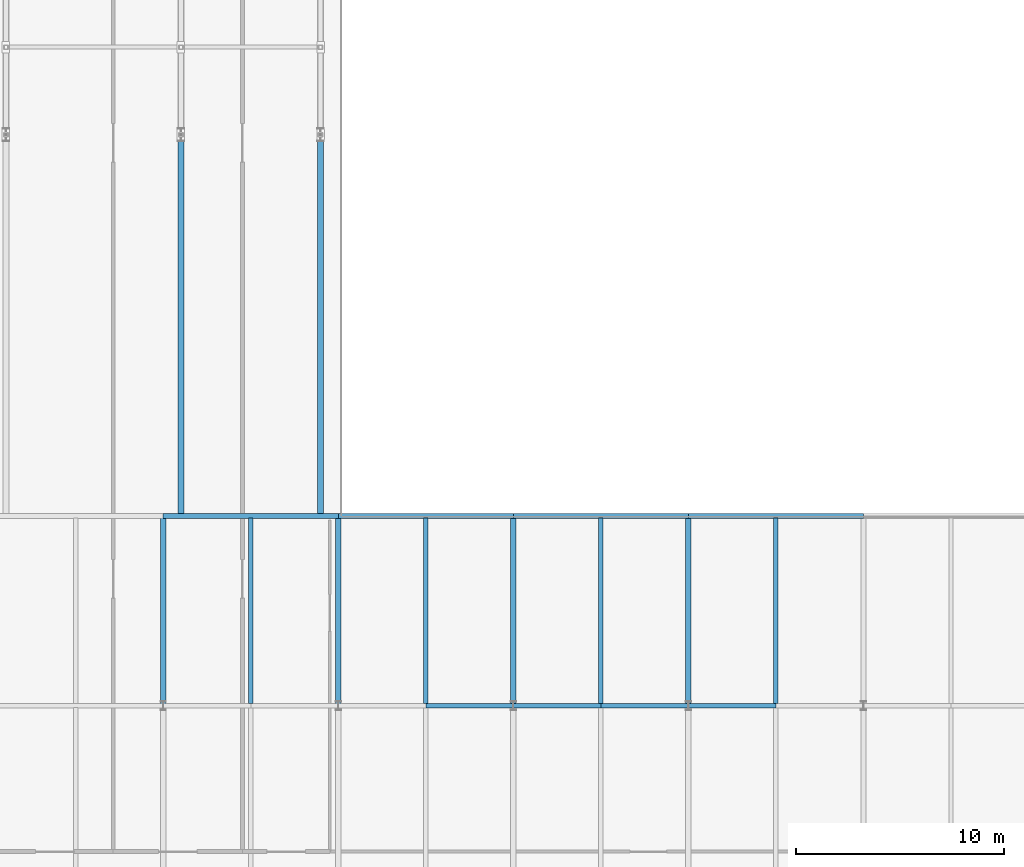
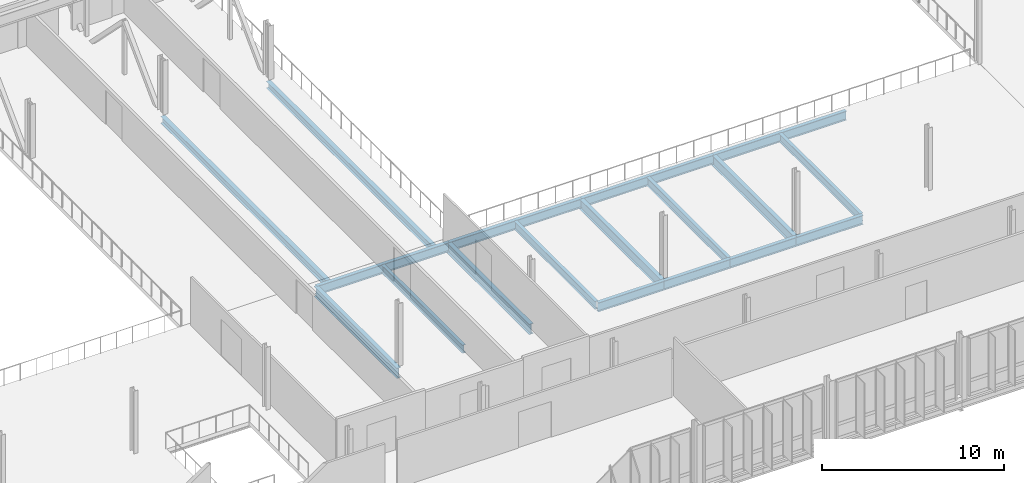
# One storey, part 53 of 107: 18 beams.
"""IFC4 building model written with IfcOpenShell, lengths in metres."""

from ifc_helpers import new_model, si_unit, derived_unit, direction, frame, origin, origin_2d, place, context, subcontext, project, spatial, i_section, extrude, material, material_profile, profile_set, type_object, element, save


model = new_model("IFC4")

# Units and contexts
model_context = context("Model", 3, precision=1e-05, world=origin(), true_north=direction((0.0, 1.0)))
body_context = subcontext(model_context, "Body", "Model", "MODEL_VIEW")
ifc_project = project(units=[si_unit("LENGTHUNIT", "METRE"), si_unit("AREAUNIT", "SQUARE_METRE"), si_unit("VOLUMEUNIT", "CUBIC_METRE"), si_unit("PLANEANGLEUNIT", "RADIAN"), si_unit("MASSUNIT", "GRAM", prefix="KILO"), derived_unit("THERMALTRANSMITTANCEUNIT", [(si_unit("MASSUNIT", "GRAM", prefix="KILO"), 1), (si_unit("TIMEUNIT", "SECOND"), -3), (si_unit("THERMODYNAMICTEMPERATUREUNIT", "KELVIN"), -1)])], contexts=[model_context])

# Site, building, storey
site_placement = place(None, origin())
site = spatial("IfcSite", under=ifc_project, at=site_placement, CompositionType="ELEMENT")
building_placement = place(site_placement, origin())
building = spatial("IfcBuilding", under=site, at=building_placement, Name="Makaiwela Harbour Ferry Terminal", CompositionType="ELEMENT")
storey_placement = place(building_placement, frame((0.0, 0.0, 9.60009765625)))
storey = spatial("IfcBuildingStorey", under=building, at=storey_placement, Name="L02", CompositionType="ELEMENT", Elevation=9.60009765625)

# Beams
ifc_material = material(Name="Steel ASTM A992 Grade 50", Category="steel")
ifc_material_profile_1 = material_profile(ifc_material, i_section(OverallWidth=0.280029296875, OverallDepth=0.462890625, WebThickness=0.0107421875, FlangeThickness=0.017333984375, at=origin_2d()), Name="W18X76")
ifc_profile_set_1 = profile_set([ifc_material_profile_1], Name="Steel ASTM A992 Grade 50")
beam_type_1 = type_object("IfcBeamType", Name="STR-BM-W18X76", PredefinedType="BEAM", material=ifc_profile_set_1)
for number, where, z_axis, x_axis, name in (
    (1, (97.449951171875, 76.699951171875, -0.49169921875), (0.0, 1.0, 0.0), (-1.0, 0.0, 0.0), "North bridge backspan girder 242"),
    (2, (104.14990234375, 76.699951171875, -0.49169921875), (0.0, 1.0, 0.0), (-1.0, 0.0, 0.0), "North bridge backspan girder 243"),
):
    element("IfcBeam", number, at=place(storey_placement, frame(where, z_axis=z_axis, x_axis=x_axis)), inside=storey, type_object=beam_type_1, Name=name, PredefinedType="BEAM", context=body_context, shape_type="SweptSolid", body=[
        extrude(i_section(OverallWidth=0.280029296875, OverallDepth=0.462890625, WebThickness=0.0107421875, FlangeThickness=0.017333984375, at=origin_2d()), origin(), (0.0, 0.0, 1.0), 18.300048828125),
    ])
ifc_material_profile_2 = material_profile(ifc_material, i_section(OverallWidth=0.2099609375, OverallDepth=0.537109375, WebThickness=0.010986328125, FlangeThickness=0.017333984375, at=origin_2d()), Name="W21X68")
ifc_profile_set_2 = profile_set([ifc_material_profile_2], Name="Steel ASTM A992 Grade 50")
beam_type_2 = type_object("IfcBeamType", Name="STR-BM-W21X68", PredefinedType="BEAM", material=ifc_profile_set_2)
for number, where, z_axis, x_axis, name in (
    (3, (100.800048828125, 67.696533203125, -0.528564453125), (0.0, 1.0, 0.0), (-1.0, 0.0, 0.0), "Secondary floor beam 1498"),
    (4, (109.199951171875, 67.696533203125, -0.528564453125), (0.0, 1.0, 0.0), (-1.0, 0.0, 0.0), "Secondary floor beam 1505"),
    (5, (117.60009765625, 67.696533203125, -0.528564453125), (0.0, 1.0, 0.0), (-1.0, 0.0, 0.0), "Secondary floor beam 1512"),
    (6, (126.0, 67.696533203125, -0.528564453125), (0.0, 1.0, 0.0), (-1.0, 0.0, 0.0), "Secondary floor beam 1516"),
):
    element("IfcBeam", number, at=place(storey_placement, frame(where, z_axis=z_axis, x_axis=x_axis)), inside=storey, type_object=beam_type_2, Name=name, PredefinedType="BEAM", context=body_context, shape_type="SweptSolid", body=[
        extrude(i_section(OverallWidth=0.2099609375, OverallDepth=0.537109375, WebThickness=0.010986328125, FlangeThickness=0.017333984375, at=origin_2d()), origin(), (0.0, 0.0, 1.0), 8.906982421875),
    ])
ifc_material_profile_3 = material_profile(ifc_material, i_section(OverallWidth=0.22900390625, OverallDepth=0.612060546875, WebThickness=0.011962890625, FlangeThickness=0.01953125, at=origin_2d()), Name="W24X84")
ifc_profile_set_3 = profile_set([ifc_material_profile_3], Name="Steel ASTM A992 Grade 50")
beam_type_3 = type_object("IfcBeamType", Name="STR-GRD-W24X84", PredefinedType="USERDEFINED", material=ifc_profile_set_3)
beam_1_placement = place(storey_placement, frame((109.199951171875, 67.60009765625, -0.566162109375), z_axis=(1.0, 0.0, 0.0), x_axis=(0.0, 1.0, 0.0)))
element("IfcBeam", 7, at=beam_1_placement, inside=storey, type_object=beam_type_3, Name="Primary X girder 1318", ObjectType="GIRDER", PredefinedType="USERDEFINED", context=body_context, shape_type="SweptSolid", body=[
    extrude(i_section(OverallWidth=0.22900390625, OverallDepth=0.612060546875, WebThickness=0.011962890625, FlangeThickness=0.01953125, at=origin_2d()), origin(), (0.0, 0.0, 1.0), 4.199951171875),
])
beam_2_placement = place(storey_placement, frame((113.39990234375, 67.60009765625, -0.566162109375), z_axis=(1.0, 0.0, 0.0), x_axis=(0.0, 1.0, 0.0)))
element("IfcBeam", 8, at=beam_2_placement, inside=storey, type_object=beam_type_3, Name="Primary X girder 1319", ObjectType="GIRDER", PredefinedType="USERDEFINED", context=body_context, shape_type="SweptSolid", body=[
    extrude(i_section(OverallWidth=0.22900390625, OverallDepth=0.612060546875, WebThickness=0.011962890625, FlangeThickness=0.01953125, at=origin_2d()), origin(), (0.0, 0.0, 1.0), 4.2001953125),
])
for number, where, z_axis, x_axis, name in (
    (9, (117.60009765625, 67.60009765625, -0.566162109375), (1.0, 0.0, 0.0), (0.0, 1.0, 0.0), "Primary X girder 1320"),
    (10, (121.800048828125, 67.60009765625, -0.566162109375), (1.0, 0.0, 0.0), (0.0, 1.0, 0.0), "Primary X girder 1321"),
):
    element("IfcBeam", number, at=place(storey_placement, frame(where, z_axis=z_axis, x_axis=x_axis)), inside=storey, type_object=beam_type_3, Name=name, ObjectType="GIRDER", PredefinedType="USERDEFINED", context=body_context, shape_type="SweptSolid", body=[
        extrude(i_section(OverallWidth=0.22900390625, OverallDepth=0.612060546875, WebThickness=0.011962890625, FlangeThickness=0.01953125, at=origin_2d()), origin(), (0.0, 0.0, 1.0), 4.199951171875),
    ])
for number, where, z_axis, x_axis, name in (
    (11, (96.60009765625, 76.699951171875, -0.566162109375), (1.0, 0.0, 0.0), (0.0, 1.0, 0.0), "Primary X girder 1332"),
    (12, (105.0, 76.699951171875, -0.566162109375), (1.0, 0.0, 0.0), (0.0, 1.0, 0.0), "Primary X girder 1333"),
):
    element("IfcBeam", number, at=place(storey_placement, frame(where, z_axis=z_axis, x_axis=x_axis)), inside=storey, type_object=beam_type_3, Name=name, ObjectType="GIRDER", PredefinedType="USERDEFINED", context=body_context, shape_type="SweptSolid", body=[
        extrude(i_section(OverallWidth=0.22900390625, OverallDepth=0.612060546875, WebThickness=0.011962890625, FlangeThickness=0.01953125, at=origin_2d()), origin(), (0.0, 0.0, 1.0), 8.39990234375),
    ])
beam_3_placement = place(storey_placement, frame((113.39990234375, 76.699951171875, -0.566162109375), z_axis=(1.0, 0.0, 0.0), x_axis=(0.0, 1.0, 0.0)))
element("IfcBeam", 13, at=beam_3_placement, inside=storey, type_object=beam_type_3, Name="Primary X girder 1334", ObjectType="GIRDER", PredefinedType="USERDEFINED", context=body_context, shape_type="SweptSolid", body=[
    extrude(i_section(OverallWidth=0.22900390625, OverallDepth=0.612060546875, WebThickness=0.011962890625, FlangeThickness=0.01953125, at=origin_2d()), origin(), (0.0, 0.0, 1.0), 8.400146484375),
])
beam_4_placement = place(storey_placement, frame((121.800048828125, 76.699951171875, -0.566162109375), z_axis=(1.0, 0.0, 0.0), x_axis=(0.0, 1.0, 0.0)))
element("IfcBeam", 14, at=beam_4_placement, inside=storey, type_object=beam_type_3, Name="Primary X girder 1335", ObjectType="GIRDER", PredefinedType="USERDEFINED", context=body_context, shape_type="SweptSolid", body=[
    extrude(i_section(OverallWidth=0.22900390625, OverallDepth=0.612060546875, WebThickness=0.011962890625, FlangeThickness=0.01953125, at=origin_2d()), origin(), (0.0, 0.0, 1.0), 8.39990234375),
])
ifc_material_profile_4 = material_profile(ifc_material, i_section(OverallWidth=0.256103515625, OverallDepth=0.693115234375, WebThickness=0.014404296875, FlangeThickness=0.023681640625, at=origin_2d()), Name="W27X114")
ifc_profile_set_4 = profile_set([ifc_material_profile_4], Name="Steel ASTM A992 Grade 50")
beam_type_4 = type_object("IfcBeamType", Name="STR-GRD-W27X114", PredefinedType="USERDEFINED", material=ifc_profile_set_4)
for number, where, z_axis, x_axis, name in (
    (15, (96.60009765625, 67.60009765625, -0.606689453125), (0.0, 1.0, 0.0), (-1.0, 0.0, 0.0), "Primary Y girder 1393"),
    (16, (105.0, 67.60009765625, -0.606689453125), (0.0, 1.0, 0.0), (-1.0, 0.0, 0.0), "Primary Y girder 1400"),
    (17, (113.39990234375, 67.60009765625, -0.606689453125), (0.0, 1.0, 0.0), (-1.0, 0.0, 0.0), "Primary Y girder 1407"),
    (18, (121.800048828125, 67.60009765625, -0.606689453125), (0.0, 1.0, 0.0), (-1.0, 0.0, 0.0), "Primary Y girder 1414"),
):
    element("IfcBeam", number, at=place(storey_placement, frame(where, z_axis=z_axis, x_axis=x_axis)), inside=storey, type_object=beam_type_4, Name=name, ObjectType="GIRDER", PredefinedType="USERDEFINED", context=body_context, shape_type="SweptSolid", body=[
        extrude(i_section(OverallWidth=0.256103515625, OverallDepth=0.693115234375, WebThickness=0.014404296875, FlangeThickness=0.023681640625, at=origin_2d()), origin(), (0.0, 0.0, 1.0), 9.099853515625),
    ])

save(model, "model.ifc")
